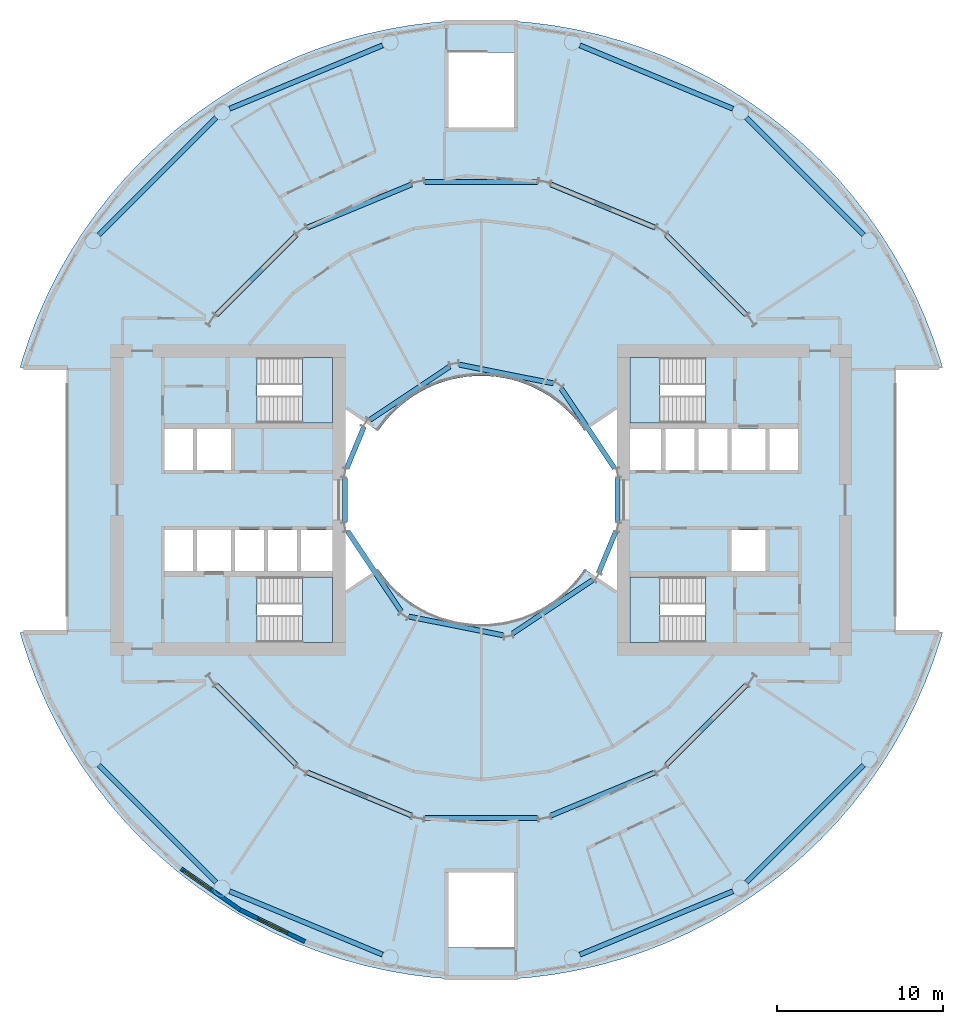
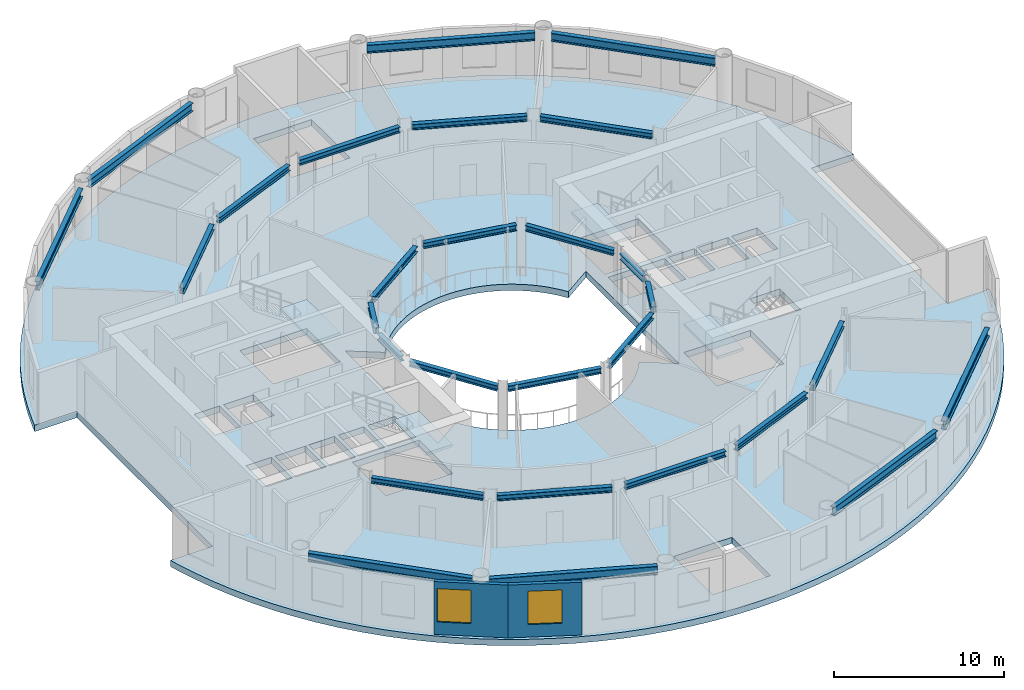
# One storey, part 3 of 13: 28 beams, 5 slabs, 2 walls, 2 windows, 2 openings, 4 elements without a shape of their own.
"""IFC4 building model written with IfcOpenShell, lengths in metres."""

from ifc_helpers import new_model, si_unit, direction, frame, frame_2d, origin, origin_2d, place, context, subcontext, project, spatial, polyline, rectangle, i_section, outline, extrude, material, layer, layer_set, material_profile, profile_set, type_object, element, fill, aggregate, save


model = new_model("IFC4")

# Units and contexts
model_context = context("Model", 3, precision=1e-05, world=origin(), true_north=direction((0.0, 1.0)))
body_context = subcontext(model_context, "Body", "Model", "MODEL_VIEW")
ifc_project = project(units=[si_unit("LENGTHUNIT", "METRE"), si_unit("AREAUNIT", "SQUARE_METRE"), si_unit("VOLUMEUNIT", "CUBIC_METRE"), si_unit("PLANEANGLEUNIT", "RADIAN"), si_unit("MASSUNIT", "GRAM", prefix="KILO")], contexts=[model_context])

# Site, building, storey
site_placement = place(None, origin())
site = spatial("IfcSite", under=ifc_project, at=site_placement, CompositionType="ELEMENT")
building_placement = place(site_placement, origin())
building = spatial("IfcBuilding", under=site, at=building_placement, Name="Maasbend Ring Residences", CompositionType="ELEMENT")
storey_placement = place(building_placement, frame((0.0, 0.0, 14.10009765625)))
storey = spatial("IfcBuildingStorey", under=building, at=storey_placement, Name="L03", CompositionType="ELEMENT", Elevation=14.10009765625)

# Beams
ifc_material_1 = material(Name="Steel S355J2", Category="steel")
ifc_material_profile_1 = material_profile(ifc_material_1, i_section(OverallWidth=0.300048828125, OverallDepth=0.39990234375, WebThickness=0.013427734375, FlangeThickness=0.02392578125, FilletRadius=0.027099609375, at=origin_2d()), Name="HEB 400")
ifc_profile_set_1 = profile_set([ifc_material_profile_1], Name="Steel S355J2")
beam_type_1 = type_object("IfcBeamType", Name="Corridor ring beam HEB 400", PredefinedType="BEAM", material=ifc_profile_set_1)
for number, where, z_axis, x_axis, name in (
    (1, (16.00341796875, 11.1826171875, 3.599853515625), (-0.707106781187, 0.707106781187, 0.0), (-0.707106781187, -0.707106781187, 0.0), "Corridor ring beam"),
    (2, (10.505859375, 16.45556640625, 3.599853515625), (-0.92387061516, 0.382704960046, 0.0), (-0.382704960046, -0.92387061516, 0.0), "Corridor ring beam"),
):
    element("IfcBeam", number, at=place(storey_placement, frame(where, z_axis=z_axis, x_axis=x_axis)), inside=storey, type_object=beam_type_1, Name=name, PredefinedType="BEAM", context=body_context, shape_type="SweptSolid", body=[
        extrude(i_section(OverallWidth=0.300048828125, OverallDepth=0.39990234375, WebThickness=0.013427734375, FlangeThickness=0.02392578125, FilletRadius=0.027099609375, at=origin_2d()), origin(), (0.0, 0.0, 1.0), 6.817626953125),
    ])
beam_1_placement = place(storey_placement, frame((3.40869140625, 19.223388671875, 3.599853515625), z_axis=(-1.0, 0.0, 0.0), x_axis=(0.0, -1.0, 0.0)))
element("IfcBeam", 3, at=beam_1_placement, inside=storey, type_object=beam_type_1, Name="Corridor ring beam", PredefinedType="BEAM", context=body_context, shape_type="SweptSolid", body=[
    extrude(i_section(OverallWidth=0.300048828125, OverallDepth=0.39990234375, WebThickness=0.013427734375, FlangeThickness=0.02392578125, FilletRadius=0.027099609375, at=origin_2d()), origin(), (0.0, 0.0, 1.0), 6.8173828125),
])
for number, where, z_axis, x_axis, name in (
    (4, (-4.207275390625, 19.064697265625, 3.599853515625), (-0.92387061516, -0.382704960046, 0.0), (0.382704960046, -0.92387061516, 0.0), "Corridor ring beam"),
    (5, (-11.1826171875, 16.00341796875, 3.599853515625), (-0.707106781187, -0.707106781187, 0.0), (0.707106781187, -0.707106781187, 0.0), "Corridor ring beam"),
    (6, (-16.00341796875, -11.1826171875, 3.599853515625), (0.707106781187, -0.707106781187, 0.0), (0.707106781187, 0.707106781187, 0.0), "Corridor ring beam"),
    (7, (-10.505859375, -16.45556640625, 3.599853515625), (0.92387061516, -0.382704960046, 0.0), (0.382704960046, 0.92387061516, 0.0), "Corridor ring beam"),
):
    element("IfcBeam", number, at=place(storey_placement, frame(where, z_axis=z_axis, x_axis=x_axis)), inside=storey, type_object=beam_type_1, Name=name, PredefinedType="BEAM", context=body_context, shape_type="SweptSolid", body=[
        extrude(i_section(OverallWidth=0.300048828125, OverallDepth=0.39990234375, WebThickness=0.013427734375, FlangeThickness=0.02392578125, FilletRadius=0.027099609375, at=origin_2d()), origin(), (0.0, 0.0, 1.0), 6.817626953125),
    ])
beam_2_placement = place(storey_placement, frame((-3.40869140625, -19.223388671875, 3.599853515625), z_axis=(1.0, 0.0, 0.0), x_axis=(0.0, 1.0, 0.0)))
element("IfcBeam", 8, at=beam_2_placement, inside=storey, type_object=beam_type_1, Name="Corridor ring beam", PredefinedType="BEAM", context=body_context, shape_type="SweptSolid", body=[
    extrude(i_section(OverallWidth=0.300048828125, OverallDepth=0.39990234375, WebThickness=0.013427734375, FlangeThickness=0.02392578125, FilletRadius=0.027099609375, at=origin_2d()), origin(), (0.0, 0.0, 1.0), 6.8173828125),
])
for number, where, z_axis, x_axis, name in (
    (9, (4.207275390625, -19.064697265625, 3.599853515625), (0.92387061516, 0.382704960046, 0.0), (-0.382704960046, 0.92387061516, 0.0), "Corridor ring beam"),
    (10, (11.1826171875, -16.00341796875, 3.599853515625), (0.707106781187, 0.707106781187, 0.0), (-0.707106781187, 0.707106781187, 0.0), "Corridor ring beam"),
):
    element("IfcBeam", number, at=place(storey_placement, frame(where, z_axis=z_axis, x_axis=x_axis)), inside=storey, type_object=beam_type_1, Name=name, PredefinedType="BEAM", context=body_context, shape_type="SweptSolid", body=[
        extrude(i_section(OverallWidth=0.300048828125, OverallDepth=0.39990234375, WebThickness=0.013427734375, FlangeThickness=0.02392578125, FilletRadius=0.027099609375, at=origin_2d()), origin(), (0.0, 0.0, 1.0), 6.817626953125),
    ])
ifc_material_2 = material(Name="Steel S460M", Category="steel")
ifc_material_profile_2 = material_profile(ifc_material_2, i_section(OverallWidth=0.300048828125, OverallDepth=0.60009765625, WebThickness=0.015380859375, FlangeThickness=0.030029296875, FilletRadius=0.027099609375, at=origin_2d()), Name="HEB 600")
ifc_profile_set_2 = profile_set([ifc_material_profile_2], Name="Steel S460M")
beam_type_2 = type_object("IfcBeamType", Name="Spandrel ring beam HEB 600", PredefinedType="SPANDREL", material=ifc_profile_set_2)
beam_3_placement = place(storey_placement, frame((23.088134765625, 16.0263671875, 3.5), z_axis=(-0.707106781187, 0.707106781187, 0.0), x_axis=(-0.707106781187, -0.707106781187, 0.0)))
element("IfcBeam", 11, at=beam_3_placement, inside=storey, type_object=beam_type_2, Name="Spandrel ring beam", PredefinedType="SPANDREL", context=body_context, shape_type="SweptSolid", body=[
    extrude(i_section(OverallWidth=0.300048828125, OverallDepth=0.60009765625, WebThickness=0.015380859375, FlangeThickness=0.030029296875, FilletRadius=0.027099609375, at=origin_2d()), origin(), (0.0, 0.0, 1.0), 9.98681640625),
])
for number, where, z_axis, x_axis, name in (
    (12, (15.19775390625, 23.641845703125, 3.5), (-0.923886337442, 0.382667003395, 0.0), (-0.382667003395, -0.923886337442, 0.0), "Spandrel ring beam"),
    (13, (-5.970703125, 27.463623046875, 3.5), (-0.923886337442, -0.382667003395, 0.0), (0.382667003395, -0.923886337442, 0.0), "Spandrel ring beam"),
):
    element("IfcBeam", number, at=place(storey_placement, frame(where, z_axis=z_axis, x_axis=x_axis)), inside=storey, type_object=beam_type_2, Name=name, PredefinedType="SPANDREL", context=body_context, shape_type="SweptSolid", body=[
        extrude(i_section(OverallWidth=0.300048828125, OverallDepth=0.60009765625, WebThickness=0.015380859375, FlangeThickness=0.030029296875, FilletRadius=0.027099609375, at=origin_2d()), origin(), (0.0, 0.0, 1.0), 9.9873046875),
    ])
for number, where, z_axis, x_axis, name in (
    (14, (-16.0263671875, 23.088134765625, 3.5), (-0.707106781187, -0.707106781187, 0.0), (0.707106781187, -0.707106781187, 0.0), "Spandrel ring beam"),
    (15, (-23.088134765625, -16.0263671875, 3.5), (0.707106781187, -0.707106781187, 0.0), (0.707106781187, 0.707106781187, 0.0), "Spandrel ring beam"),
):
    element("IfcBeam", number, at=place(storey_placement, frame(where, z_axis=z_axis, x_axis=x_axis)), inside=storey, type_object=beam_type_2, Name=name, PredefinedType="SPANDREL", context=body_context, shape_type="SweptSolid", body=[
        extrude(i_section(OverallWidth=0.300048828125, OverallDepth=0.60009765625, WebThickness=0.015380859375, FlangeThickness=0.030029296875, FilletRadius=0.027099609375, at=origin_2d()), origin(), (0.0, 0.0, 1.0), 9.98681640625),
    ])
for number, where, z_axis, x_axis, name in (
    (16, (-15.19775390625, -23.641845703125, 3.5), (0.923886337442, -0.382667003395, 0.0), (0.382667003395, 0.923886337442, 0.0), "Spandrel ring beam"),
    (17, (5.970703125, -27.463623046875, 3.5), (0.923886337442, 0.382667003395, 0.0), (-0.382667003395, 0.923886337442, 0.0), "Spandrel ring beam"),
):
    element("IfcBeam", number, at=place(storey_placement, frame(where, z_axis=z_axis, x_axis=x_axis)), inside=storey, type_object=beam_type_2, Name=name, PredefinedType="SPANDREL", context=body_context, shape_type="SweptSolid", body=[
        extrude(i_section(OverallWidth=0.300048828125, OverallDepth=0.60009765625, WebThickness=0.015380859375, FlangeThickness=0.030029296875, FilletRadius=0.027099609375, at=origin_2d()), origin(), (0.0, 0.0, 1.0), 9.9873046875),
    ])
beam_4_placement = place(storey_placement, frame((16.0263671875, -23.088134765625, 3.5), z_axis=(0.707106781187, 0.707106781187, 0.0), x_axis=(-0.707106781187, 0.707106781187, 0.0)))
element("IfcBeam", 18, at=beam_4_placement, inside=storey, type_object=beam_type_2, Name="Spandrel ring beam", PredefinedType="SPANDREL", context=body_context, shape_type="SweptSolid", body=[
    extrude(i_section(OverallWidth=0.300048828125, OverallDepth=0.60009765625, WebThickness=0.015380859375, FlangeThickness=0.030029296875, FilletRadius=0.027099609375, at=origin_2d()), origin(), (0.0, 0.0, 1.0), 9.98681640625),
])
ifc_material_3 = material(Name="Steel S355J2", Category="steel")
ifc_material_profile_3 = material_profile(ifc_material_3, i_section(OverallWidth=0.300048828125, OverallDepth=0.39990234375, WebThickness=0.013427734375, FlangeThickness=0.02392578125, FilletRadius=0.027099609375, at=origin_2d()), Name="HEB 400")
ifc_profile_set_3 = profile_set([ifc_material_profile_3], Name="Steel S355J2")
beam_type_3 = type_object("IfcBeamType", Name="Well edge beam HEB 400", PredefinedType="BEAM", material=ifc_profile_set_3)
for number, where, z_axis, x_axis, name in (
    (19, (8.05810546875, 1.90869140625, 3.599853515625), (-0.555557724977, 0.831477969773, 0.0), (-0.831477969773, -0.555557724977, 0.0), "Well edge beam"),
    (20, (4.348388671875, 7.047607421875, 3.599853515625), (-0.980781612923, 0.195108758779, 0.0), (-0.195108758779, -0.980781612923, 0.0), "Well edge beam"),
    (21, (-1.90869140625, 8.05810546875, 3.599853515625), (-0.831477969773, -0.555557724977, 0.0), (0.555557724977, -0.831477969773, 0.0), "Well edge beam"),
):
    element("IfcBeam", number, at=place(storey_placement, frame(where, z_axis=z_axis, x_axis=x_axis)), inside=storey, type_object=beam_type_3, Name=name, PredefinedType="BEAM", context=body_context, shape_type="SweptSolid", body=[
        extrude(i_section(OverallWidth=0.300048828125, OverallDepth=0.39990234375, WebThickness=0.013427734375, FlangeThickness=0.02392578125, FilletRadius=0.027099609375, at=origin_2d()), origin(), (0.0, 0.0, 1.0), 5.77978515625),
    ])
beam_5_placement = place(storey_placement, frame((-7.101318359375, 4.38427734375, 3.599853515625), z_axis=(-0.382715761492, -0.923866140686, 0.0), x_axis=(0.923866140686, -0.382715761492, 0.0)))
element("IfcBeam", 22, at=beam_5_placement, inside=storey, type_object=beam_type_3, Name="Well edge beam", PredefinedType="BEAM", context=body_context, shape_type="SweptSolid", body=[
    extrude(i_section(OverallWidth=0.300048828125, OverallDepth=0.39990234375, WebThickness=0.013427734375, FlangeThickness=0.02392578125, FilletRadius=0.027099609375, at=origin_2d()), origin(), (0.0, 0.0, 1.0), 2.665771484375),
])
beam_6_placement = place(storey_placement, frame((-8.238525390625, 1.3330078125, 3.599853515625), z_axis=(0.0, -1.0, 0.0), x_axis=(1.0, 0.0, 0.0)))
element("IfcBeam", 23, at=beam_6_placement, inside=storey, type_object=beam_type_3, Name="Well edge beam", PredefinedType="BEAM", context=body_context, shape_type="SweptSolid", body=[
    extrude(i_section(OverallWidth=0.300048828125, OverallDepth=0.39990234375, WebThickness=0.013427734375, FlangeThickness=0.02392578125, FilletRadius=0.027099609375, at=origin_2d()), origin(), (0.0, 0.0, 1.0), 2.666015625),
])
for number, where, z_axis, x_axis, name in (
    (24, (-8.05810546875, -1.90869140625, 3.599853515625), (0.555557724977, -0.831477969773, 0.0), (0.831477969773, 0.555557724977, 0.0), "Well edge beam"),
    (25, (-4.348388671875, -7.047607421875, 3.599853515625), (0.980781612923, -0.195108758779, 0.0), (0.195108758779, 0.980781612923, 0.0), "Well edge beam"),
    (26, (1.90869140625, -8.05810546875, 3.599853515625), (0.831477969773, 0.555557724977, 0.0), (-0.555557724977, 0.831477969773, 0.0), "Well edge beam"),
):
    element("IfcBeam", number, at=place(storey_placement, frame(where, z_axis=z_axis, x_axis=x_axis)), inside=storey, type_object=beam_type_3, Name=name, PredefinedType="BEAM", context=body_context, shape_type="SweptSolid", body=[
        extrude(i_section(OverallWidth=0.300048828125, OverallDepth=0.39990234375, WebThickness=0.013427734375, FlangeThickness=0.02392578125, FilletRadius=0.027099609375, at=origin_2d()), origin(), (0.0, 0.0, 1.0), 5.77978515625),
    ])
beam_7_placement = place(storey_placement, frame((7.101318359375, -4.38427734375, 3.599853515625), z_axis=(0.382715761492, 0.923866140686, 0.0), x_axis=(-0.923866140686, 0.382715761492, 0.0)))
element("IfcBeam", 27, at=beam_7_placement, inside=storey, type_object=beam_type_3, Name="Well edge beam", PredefinedType="BEAM", context=body_context, shape_type="SweptSolid", body=[
    extrude(i_section(OverallWidth=0.300048828125, OverallDepth=0.39990234375, WebThickness=0.013427734375, FlangeThickness=0.02392578125, FilletRadius=0.027099609375, at=origin_2d()), origin(), (0.0, 0.0, 1.0), 2.665771484375),
])
beam_8_placement = place(storey_placement, frame((8.238525390625, -1.3330078125, 3.599853515625), z_axis=(0.0, 1.0, 0.0), x_axis=(-1.0, 0.0, 0.0)))
element("IfcBeam", 28, at=beam_8_placement, inside=storey, type_object=beam_type_3, Name="Well edge beam", PredefinedType="BEAM", context=body_context, shape_type="SweptSolid", body=[
    extrude(i_section(OverallWidth=0.300048828125, OverallDepth=0.39990234375, WebThickness=0.013427734375, FlangeThickness=0.02392578125, FilletRadius=0.027099609375, at=origin_2d()), origin(), (0.0, 0.0, 1.0), 2.666015625),
])

# Stair, slab
ifc_material_4 = material(Name="Concrete C40/50", Category="concrete")
stair_type = type_object("IfcStairType", Name="CORE STAIR 24 RISERS", PredefinedType="HALF_TURN_STAIR", material=ifc_material_4)
stair_1_placement = place(storey_placement, origin())
stair_1 = element("IfcStair", 29, at=stair_1_placement, inside=storey, type_object=stair_type, Name="L03 Exit stair ST-E1", PredefinedType="HALF_TURN_STAIR")
ifc_material_5 = material(Name="Concrete C40/50", Category="concrete")
ifc_layer_1 = layer(ifc_material_5, 0.199951171875)
ifc_layer_set_1 = layer_set([ifc_layer_1], Name="Concrete C40/50")
slab_type_1 = type_object("IfcSlabType", Name="CORE STAIR LANDING 200", PredefinedType="LANDING", material=ifc_layer_set_1)
slab_1_placement = place(storey_placement, frame((0.0, 0.0, 1.89990234375)))
slab_1 = element("IfcSlab", 30, at=slab_1_placement, type_object=slab_type_1, Name="ST-E1 landing 1", PredefinedType="LANDING", context=body_context, shape_type="SweptSolid", body=[
    extrude(outline(polyline([(10.800048828125, 8.60009765625), (9.0, 8.60009765625), (9.0, 4.64990234375), (10.800048828125, 4.64990234375), (10.800048828125, 8.60009765625)])), origin(), (0.0, 0.0, 1.0), 0.199951171875),
])
aggregate(stair_1, [slab_1])

stair_2_placement = place(storey_placement, origin())
stair_2 = element("IfcStair", 31, at=stair_2_placement, inside=storey, type_object=stair_type, Name="L03 Exit stair ST-E2", PredefinedType="HALF_TURN_STAIR")
slab_2_placement = place(storey_placement, frame((0.0, 0.0, 1.89990234375)))
slab_2 = element("IfcSlab", 32, at=slab_2_placement, type_object=slab_type_1, Name="ST-E2 landing 1", PredefinedType="LANDING", context=body_context, shape_type="SweptSolid", body=[
    extrude(outline(polyline([(10.800048828125, -4.64990234375), (9.0, -4.64990234375), (9.0, -8.60009765625), (10.800048828125, -8.60009765625), (10.800048828125, -4.64990234375)])), origin(), (0.0, 0.0, 1.0), 0.199951171875),
])
aggregate(stair_2, [slab_2])

stair_3_placement = place(storey_placement, origin())
stair_3 = element("IfcStair", 33, at=stair_3_placement, inside=storey, type_object=stair_type, Name="L03 Exit stair ST-W1", PredefinedType="HALF_TURN_STAIR")
slab_3_placement = place(storey_placement, frame((0.0, 0.0, 1.89990234375)))
slab_3 = element("IfcSlab", 34, at=slab_3_placement, type_object=slab_type_1, Name="ST-W1 landing 1", PredefinedType="LANDING", context=body_context, shape_type="SweptSolid", body=[
    extrude(outline(polyline([(-10.800048828125, -8.60009765625), (-9.0, -8.60009765625), (-9.0, -4.64990234375), (-10.800048828125, -4.64990234375), (-10.800048828125, -8.60009765625)])), origin(), (0.0, 0.0, 1.0), 0.199951171875),
])
aggregate(stair_3, [slab_3])

stair_4_placement = place(storey_placement, origin())
stair_4 = element("IfcStair", 35, at=stair_4_placement, inside=storey, type_object=stair_type, Name="L03 Exit stair ST-W2", PredefinedType="HALF_TURN_STAIR")
slab_4_placement = place(storey_placement, frame((0.0, 0.0, 1.89990234375)))
slab_4 = element("IfcSlab", 36, at=slab_4_placement, type_object=slab_type_1, Name="ST-W2 landing 1", PredefinedType="LANDING", context=body_context, shape_type="SweptSolid", body=[
    extrude(outline(polyline([(-10.800048828125, 4.64990234375), (-9.0, 4.64990234375), (-9.0, 8.60009765625), (-10.800048828125, 8.60009765625), (-10.800048828125, 4.64990234375)])), origin(), (0.0, 0.0, 1.0), 0.199951171875),
])
aggregate(stair_4, [slab_4])

# Slab
ifc_material_6 = material(Name="Concrete C40/50", Category="concrete")
ifc_layer_2 = layer(ifc_material_6, 0.449951171875)
ifc_layer_set_2 = layer_set([ifc_layer_2], Name="Concrete C40/50")
slab_type_2 = type_object("IfcSlabType", Name="Post-tensioned flat plate 450", PredefinedType="FLOOR", material=ifc_layer_set_2)
slab_5_placement = place(storey_placement, frame((0.0, 0.0, -0.4501953125)))
element("IfcSlab", 37, at=slab_5_placement, inside=storey, type_object=slab_type_2, Name="Floor slab L03", PredefinedType="FLOOR", context=body_context, shape_type="SweptSolid", body=[
    extrude(outline(polyline([(26.2158203125, -12.399169921875), (26.79248046875, -11.097900390625), (27.3046875, -9.769775390625), (27.751220703125, -8.418212890625), (27.866943359375, -8.0), (25.0, -8.0), (25.0, 8.0), (27.866943359375, 8.0), (27.751220703125, 8.418212890625), (27.3046875, 9.769775390625), (26.79248046875, 11.097900390625), (26.2158203125, 12.399169921875), (25.57568359375, 13.67041015625), (24.8740234375, 14.908935546875), (24.112548828125, 16.111572265625), (23.29296875, 17.275390625), (22.417236328125, 18.3974609375), (21.487548828125, 19.47509765625), (20.506103515625, 20.506103515625), (19.47509765625, 21.487548828125), (18.3974609375, 22.417236328125), (17.275390625, 23.29296875), (16.111572265625, 24.112548828125), (14.908935546875, 24.8740234375), (13.67041015625, 25.57568359375), (12.399169921875, 26.2158203125), (11.097900390625, 26.79248046875), (9.769775390625, 27.3046875), (8.418212890625, 27.751220703125), (7.04638671875, 28.130859375), (5.65771484375, 28.44287109375), (4.255126953125, 28.68603515625), (2.842529296875, 28.8603515625), (1.423095703125, 28.965087890625), (0.0, 29.0), (-1.423095703125, 28.965087890625), (-2.842529296875, 28.8603515625), (-4.255126953125, 28.68603515625), (-5.65771484375, 28.44287109375), (-7.04638671875, 28.130859375), (-8.418212890625, 27.751220703125), (-9.769775390625, 27.3046875), (-11.097900390625, 26.79248046875), (-12.399169921875, 26.2158203125), (-13.67041015625, 25.57568359375), (-14.908935546875, 24.8740234375), (-16.111572265625, 24.112548828125), (-17.275390625, 23.29296875), (-18.3974609375, 22.417236328125), (-19.47509765625, 21.487548828125), (-20.506103515625, 20.506103515625), (-21.487548828125, 19.47509765625), (-22.417236328125, 18.3974609375), (-23.29296875, 17.275390625), (-24.112548828125, 16.111572265625), (-24.8740234375, 14.908935546875), (-25.57568359375, 13.67041015625), (-26.2158203125, 12.399169921875), (-26.79248046875, 11.097900390625), (-27.3046875, 9.769775390625), (-27.751220703125, 8.418212890625), (-27.866943359375, 8.0), (-25.0, 8.0), (-25.0, -8.0), (-27.866943359375, -8.0), (-27.751220703125, -8.418212890625), (-27.3046875, -9.769775390625), (-26.79248046875, -11.097900390625), (-26.2158203125, -12.399169921875), (-25.57568359375, -13.67041015625), (-24.8740234375, -14.908935546875), (-24.112548828125, -16.111572265625), (-23.29296875, -17.275390625), (-22.417236328125, -18.3974609375), (-21.487548828125, -19.47509765625), (-20.506103515625, -20.506103515625), (-19.47509765625, -21.487548828125), (-18.3974609375, -22.417236328125), (-17.275390625, -23.29296875), (-16.111572265625, -24.112548828125), (-14.908935546875, -24.8740234375), (-13.67041015625, -25.57568359375), (-12.399169921875, -26.2158203125), (-11.097900390625, -26.79248046875), (-9.769775390625, -27.3046875), (-8.418212890625, -27.751220703125), (-7.04638671875, -28.130859375), (-5.65771484375, -28.44287109375), (-4.255126953125, -28.68603515625), (-2.842529296875, -28.8603515625), (-1.423095703125, -28.965087890625), (0.0, -29.0), (1.423095703125, -28.965087890625), (2.842529296875, -28.8603515625), (4.255126953125, -28.68603515625), (5.65771484375, -28.44287109375), (7.04638671875, -28.130859375), (8.418212890625, -27.751220703125), (9.769775390625, -27.3046875), (11.097900390625, -26.79248046875), (12.399169921875, -26.2158203125), (13.67041015625, -25.57568359375), (14.908935546875, -24.8740234375), (16.111572265625, -24.112548828125), (17.275390625, -23.29296875), (18.3974609375, -22.417236328125), (19.47509765625, -21.487548828125), (20.506103515625, -20.506103515625), (21.487548828125, -19.47509765625), (22.417236328125, -18.3974609375), (23.29296875, -17.275390625), (24.112548828125, -16.111572265625), (24.8740234375, -14.908935546875), (25.57568359375, -13.67041015625), (26.2158203125, -12.399169921875)]), holes=[polyline([(17.425048828125, 4.27490234375), (19.14990234375, 4.27490234375), (19.14990234375, 1.824951171875), (17.425048828125, 1.824951171875), (17.425048828125, 4.27490234375)]), polyline([(15.125, 1.824951171875), (15.125, 4.27490234375), (17.175048828125, 4.27490234375), (17.175048828125, 1.824951171875), (15.125, 1.824951171875)]), polyline([(15.125, -1.824951171875), (17.175048828125, -1.824951171875), (17.175048828125, -4.27490234375), (15.125, -4.27490234375), (15.125, -1.824951171875)]), polyline([(13.125, 1.824951171875), (13.125, 4.27490234375), (14.875, 4.27490234375), (14.875, 1.824951171875), (13.125, 1.824951171875)]), polyline([(13.550048828125, 4.64990234375), (9.0, 4.64990234375), (9.0, 8.60009765625), (13.550048828125, 8.60009765625), (13.550048828125, 4.64990234375)]), polyline([(13.550048828125, -4.64990234375), (13.550048828125, -8.60009765625), (9.0, -8.60009765625), (9.0, -4.64990234375), (13.550048828125, -4.64990234375)]), polyline([(11.125, 1.824951171875), (11.125, 4.27490234375), (12.875, 4.27490234375), (12.875, 1.824951171875), (11.125, 1.824951171875)]), polyline([(9.0, 4.27490234375), (10.875, 4.27490234375), (10.875, 1.824951171875), (9.0, 1.824951171875), (9.0, 4.27490234375)]), polyline([(6.024169921875, 4.4677734375), (6.236083984375, 4.166748046875), (8.199951171875, 5.47900390625), (8.199951171875, -5.47900390625), (6.236083984375, -4.166748046875), (6.024169921875, -4.4677734375), (5.797607421875, -4.7578125), (5.55712890625, -5.03662109375), (5.30322265625, -5.30322265625), (5.03662109375, -5.55712890625), (4.7578125, -5.797607421875), (4.4677734375, -6.024169921875), (4.166748046875, -6.236083984375), (3.855712890625, -6.43310546875), (3.535400390625, -6.614501953125), (3.206787109375, -6.77978515625), (2.8701171875, -6.92919921875), (2.526611328125, -7.0615234375), (2.177001953125, -7.177001953125), (1.822509765625, -7.275146484375), (1.463134765625, -7.35595703125), (1.1005859375, -7.418701171875), (0.735107421875, -7.4638671875), (0.367919921875, -7.490966796875), (0.0, -7.5), (-0.367919921875, -7.490966796875), (-0.735107421875, -7.4638671875), (-1.1005859375, -7.418701171875), (-1.463134765625, -7.35595703125), (-1.822509765625, -7.275146484375), (-2.177001953125, -7.177001953125), (-2.526611328125, -7.0615234375), (-2.8701171875, -6.92919921875), (-3.206787109375, -6.77978515625), (-3.535400390625, -6.614501953125), (-3.855712890625, -6.43310546875), (-4.166748046875, -6.236083984375), (-4.4677734375, -6.024169921875), (-4.7578125, -5.797607421875), (-5.03662109375, -5.55712890625), (-5.30322265625, -5.30322265625), (-5.55712890625, -5.03662109375), (-5.797607421875, -4.7578125), (-6.024169921875, -4.4677734375), (-6.236083984375, -4.166748046875), (-8.199951171875, -5.47900390625), (-8.199951171875, 5.47900390625), (-6.236083984375, 4.166748046875), (-6.236083984375, 4.166748046875), (-6.024169921875, 4.4677734375), (-5.797607421875, 4.7578125), (-5.55712890625, 5.03662109375), (-5.30322265625, 5.30322265625), (-5.03662109375, 5.55712890625), (-4.7578125, 5.797607421875), (-4.4677734375, 6.024169921875), (-4.166748046875, 6.236083984375), (-3.855712890625, 6.43310546875), (-3.535400390625, 6.614501953125), (-3.206787109375, 6.77978515625), (-2.8701171875, 6.92919921875), (-2.526611328125, 7.0615234375), (-2.177001953125, 7.177001953125), (-1.822509765625, 7.275146484375), (-1.463134765625, 7.35595703125), (-1.1005859375, 7.418701171875), (-0.735107421875, 7.4638671875), (-0.367919921875, 7.490966796875), (0.0, 7.5), (0.367919921875, 7.490966796875), (0.735107421875, 7.4638671875), (1.1005859375, 7.418701171875), (1.463134765625, 7.35595703125), (1.822509765625, 7.275146484375), (2.177001953125, 7.177001953125), (2.526611328125, 7.0615234375), (2.8701171875, 6.92919921875), (3.206787109375, 6.77978515625), (3.535400390625, 6.614501953125), (3.855712890625, 6.43310546875), (4.166748046875, 6.236083984375), (4.4677734375, 6.024169921875), (4.7578125, 5.797607421875), (5.03662109375, 5.55712890625), (5.30322265625, 5.30322265625), (5.55712890625, 5.03662109375), (5.797607421875, 4.7578125), (6.024169921875, 4.4677734375)]), polyline([(1.97509765625, -27.050048828125), (-1.97509765625, -27.050048828125), (-1.97509765625, -22.5), (1.97509765625, -22.5), (1.97509765625, -27.050048828125)]), polyline([(-1.97509765625, 27.050048828125), (1.97509765625, 27.050048828125), (1.97509765625, 22.5), (-1.97509765625, 22.5), (-1.97509765625, 27.050048828125)]), polyline([(-13.550048828125, -8.60009765625), (-13.550048828125, -4.64990234375), (-9.0, -4.64990234375), (-9.0, -8.60009765625), (-13.550048828125, -8.60009765625)]), polyline([(-9.0, -1.824951171875), (-9.0, -4.27490234375), (-10.875, -4.27490234375), (-10.875, -1.824951171875), (-9.0, -1.824951171875)]), polyline([(-13.550048828125, 8.60009765625), (-9.0, 8.60009765625), (-9.0, 4.64990234375), (-13.550048828125, 4.64990234375), (-13.550048828125, 8.60009765625)]), polyline([(-11.125, -1.824951171875), (-11.125, -4.27490234375), (-12.875, -4.27490234375), (-12.875, -1.824951171875), (-11.125, -1.824951171875)]), polyline([(-13.125, -1.824951171875), (-13.125, -4.27490234375), (-14.875, -4.27490234375), (-14.875, -1.824951171875), (-13.125, -1.824951171875)]), polyline([(-15.125, 1.824951171875), (-17.175048828125, 1.824951171875), (-17.175048828125, 4.27490234375), (-15.125, 4.27490234375), (-15.125, 1.824951171875)]), polyline([(-15.125, -1.824951171875), (-15.125, -4.27490234375), (-17.175048828125, -4.27490234375), (-17.175048828125, -1.824951171875), (-15.125, -1.824951171875)]), polyline([(-17.425048828125, -1.824951171875), (-17.425048828125, -4.27490234375), (-19.14990234375, -4.27490234375), (-19.14990234375, -1.824951171875), (-17.425048828125, -1.824951171875)]), polyline([(-17.425048828125, 4.27490234375), (-17.425048828125, 1.824951171875), (-19.14990234375, 1.824951171875), (-19.14990234375, 4.27490234375), (-17.425048828125, 4.27490234375)])]), origin(), (0.0, 0.0, 1.0), 0.4501953125),
])

# Wall, opening, window
ifc_material_7 = material(Name="Aluminium clad insulated panel", Category="aluminium")
ifc_layer_3 = layer(ifc_material_7, 0.25)
ifc_layer_set_3 = layer_set([ifc_layer_3], Name="EW-GL")
wall_type = type_object("IfcWallType", Name="EW-GL", PredefinedType="SOLIDWALL", material=ifc_layer_set_3)
wall_1_placement = place(storey_placement, frame((-18.14306640625, -22.27001953125, 0.0), z_axis=(0.0, 0.0, 1.0), x_axis=(0.820990800869, -0.57094141984, 0.0)))
wall_1 = element("IfcWall", 38, at=wall_1_placement, inside=storey, type_object=wall_type, Name="Community floor wall 22", PredefinedType="SOLIDWALL", context=body_context, shape_type="SweptSolid", body=[
    extrude(rectangle(XDim=4.359375, YDim=0.25, at=frame_2d((2.1796875, 0.0))), origin(), (0.0, 0.0, 1.0), 3.7998046875),
])
opening_1_placement = place(wall_1_placement, frame((0.177001953125, 0.0, 0.89990234375)))
opening_1 = element("IfcOpeningElement", 39, at=opening_1_placement, cuts=wall_1, Name="Opening W-BD", PredefinedType="OPENING", context=body_context, shape_type="SweptSolid", body=[
    extrude(rectangle(XDim=2.0, YDim=2.39990234375, at=frame_2d((1.0, 1.199951171875))), frame((0.0, 0.135009765625, 0.0), z_axis=(0.0, -1.0, 0.0), x_axis=(1.0, 0.0, 0.0)), (0.0, 0.0, 1.0), 0.27001953125),
])
ifc_material_8 = material(Name="Aluminium and clear glass", Category="aluminium")
window_type = type_object("IfcWindowType", Name="W-BD", PartitioningType="DOUBLE_PANEL_VERTICAL", PredefinedType="WINDOW", material=ifc_material_8)
window_1_placement = place(opening_1_placement, origin())
window_1 = element("IfcWindow", 40, at=window_1_placement, inside=storey, type_object=window_type, Name="Community floor window 22", OverallHeight=2.39990234375, OverallWidth=2.0, PartitioningType="SINGLE_PANEL", PredefinedType="WINDOW", context=body_context, shape_type="SweptSolid", body=[
    extrude(rectangle(XDim=2.0, YDim=2.39990234375, at=frame_2d((1.0, 1.199951171875))), frame((0.0, 0.030029296875, 0.0), z_axis=(0.0, -1.0, 0.0), x_axis=(1.0, 0.0, 0.0)), (0.0, 0.0, 1.0), 0.06005859375),
])
fill(opening_1, window_1)

wall_2_placement = place(storey_placement, frame((-14.56396484375, -24.759033203125, 0.0), z_axis=(0.0, 0.0, 1.0), x_axis=(0.897938079481, -0.440121807478, 0.0)))
wall_2 = element("IfcWall", 41, at=wall_2_placement, inside=storey, type_object=wall_type, Name="Community floor wall 23", PredefinedType="SOLIDWALL", context=body_context, shape_type="SweptSolid", body=[
    extrude(rectangle(XDim=4.360107421875, YDim=0.25, at=frame_2d((2.18017578125, 0.0))), origin(), (0.0, 0.0, 1.0), 3.7998046875),
])
opening_2_placement = place(wall_2_placement, frame((1.179931640625, 0.0, 0.89990234375)))
opening_2 = element("IfcOpeningElement", 42, at=opening_2_placement, cuts=wall_2, Name="Opening W-BD", PredefinedType="OPENING", context=body_context, shape_type="SweptSolid", body=[
    extrude(rectangle(XDim=2.0, YDim=2.39990234375, at=frame_2d((1.0, 1.199951171875))), frame((0.0, 0.135009765625, 0.0), z_axis=(0.0, -1.0, 0.0), x_axis=(1.0, 0.0, 0.0)), (0.0, 0.0, 1.0), 0.27001953125),
])
window_2_placement = place(opening_2_placement, origin())
window_2 = element("IfcWindow", 43, at=window_2_placement, inside=storey, type_object=window_type, Name="Community floor window 23", OverallHeight=2.39990234375, OverallWidth=2.0, PartitioningType="SINGLE_PANEL", PredefinedType="WINDOW", context=body_context, shape_type="SweptSolid", body=[
    extrude(rectangle(XDim=2.0, YDim=2.39990234375, at=frame_2d((1.0, 1.199951171875))), frame((0.0, 0.030029296875, 0.0), z_axis=(0.0, -1.0, 0.0), x_axis=(1.0, 0.0, 0.0)), (0.0, 0.0, 1.0), 0.06005859375),
])
fill(opening_2, window_2)

save(model, "model.ifc")
